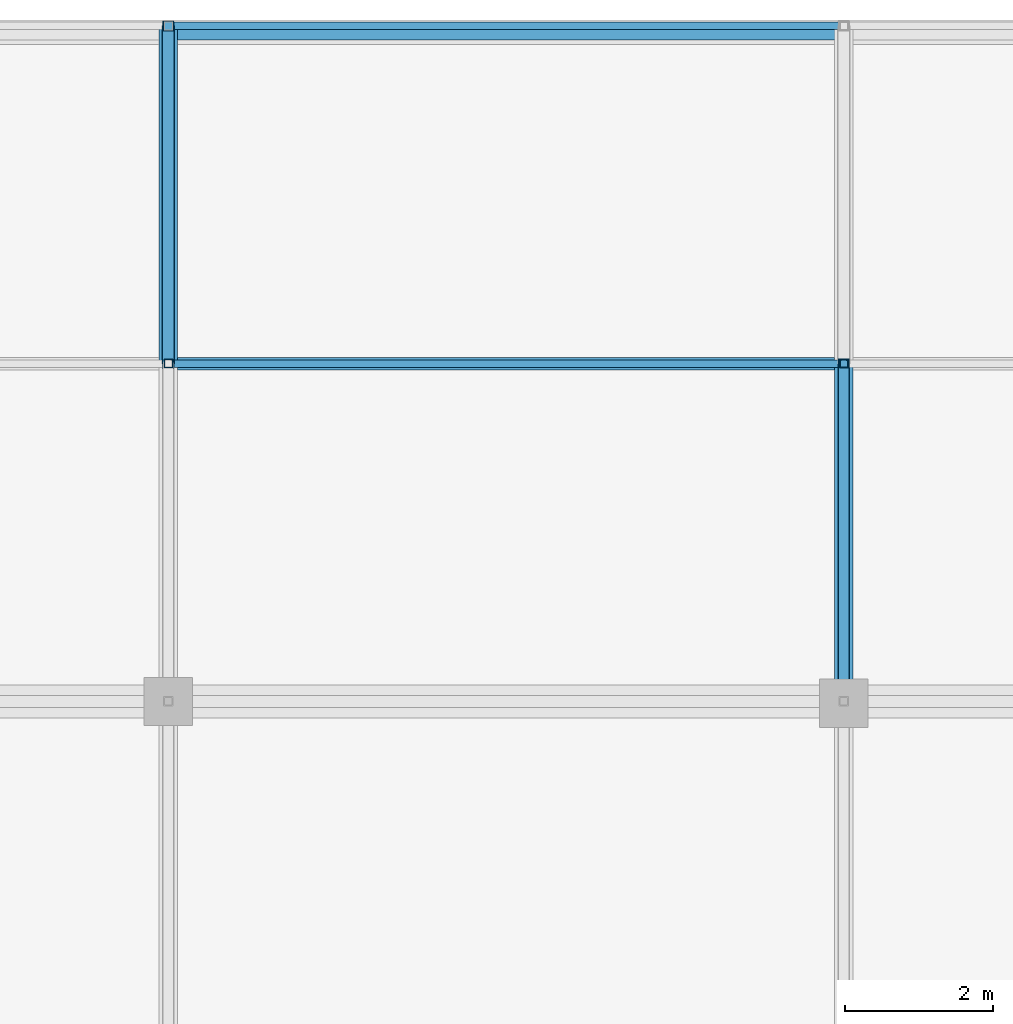
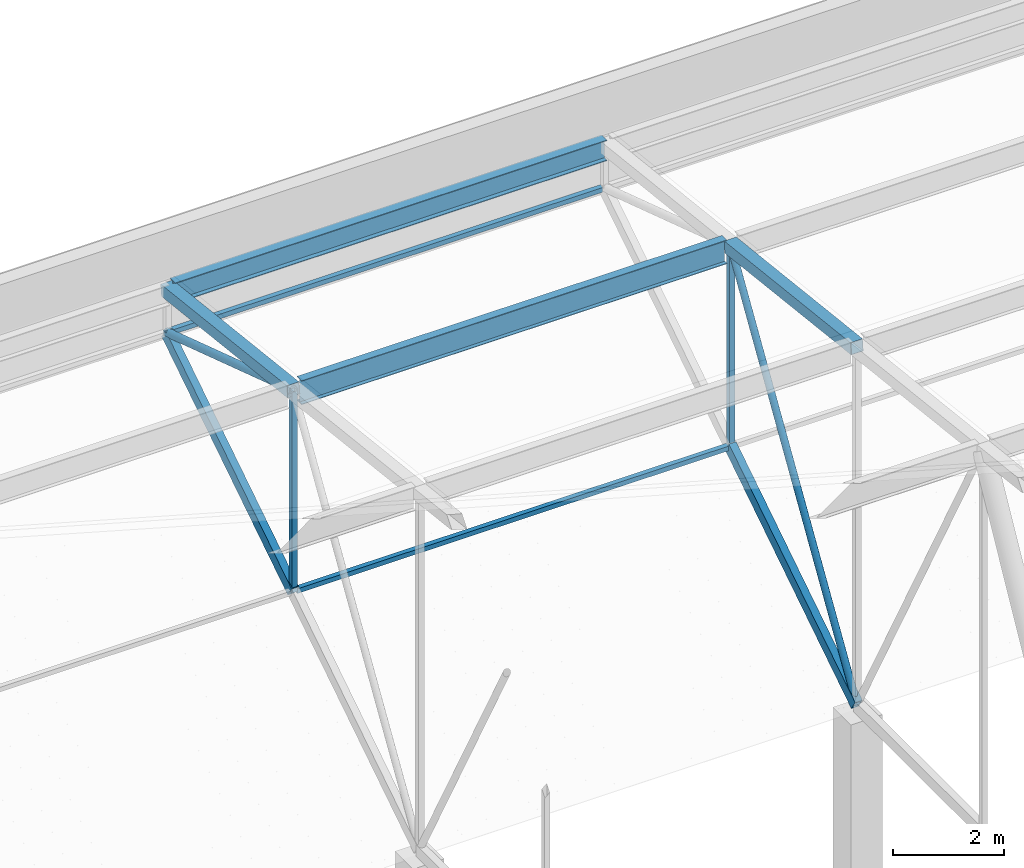
# One storey, part 309 of 500: 12 members.
"""IFC4 building model written with IfcOpenShell, lengths in metres."""

from ifc_helpers import new_model, si_unit, direction, frame, origin, origin_2d, place, context, subcontext, project, spatial, hollow_rectangle, hollow_circle, i_section, extrude, material, material_profile, profile_set, type_object, element, save


model = new_model("IFC4")

# Units and contexts
model_context = context("Model", 3, precision=1e-05, world=origin(), true_north=direction((0.0, 1.0)))
body_context = subcontext(model_context, "Body", "Model", "MODEL_VIEW")
ifc_project = project(units=[si_unit("LENGTHUNIT", "METRE"), si_unit("AREAUNIT", "SQUARE_METRE"), si_unit("VOLUMEUNIT", "CUBIC_METRE"), si_unit("PLANEANGLEUNIT", "RADIAN"), si_unit("MASSUNIT", "GRAM", prefix="KILO")], contexts=[model_context])

# Site, building, storey
site_placement = place(None, origin())
site = spatial("IfcSite", under=ifc_project, at=site_placement, CompositionType="ELEMENT")
building_placement = place(site_placement, origin())
building = spatial("IfcBuilding", under=site, at=building_placement, Name="Shirokan Park Arena", CompositionType="ELEMENT")
storey_placement = place(building_placement, frame((0.0, 0.0, 29.1201171875)))
storey = spatial("IfcBuildingStorey", under=building, at=storey_placement, Name="L06", CompositionType="ELEMENT", Elevation=29.1201171875)

# Members
ifc_material_1 = material(Name="Steel ASTM A500 Grade C", Category="steel")
ifc_material_profile_1 = material_profile(ifc_material_1, hollow_rectangle(XDim=0.152099609375, YDim=0.25390625, WallThickness=0.009521484375, at=origin_2d()), Name="HSS254X152.4X9.5")
ifc_profile_set_1 = profile_set([ifc_material_profile_1], Name="Steel ASTM A500 Grade C")
member_type_1 = type_object("IfcMemberType", Name="Bottom chord HSS254X152.4X9.5", PredefinedType="CHORD", material=ifc_profile_set_1)
for number, where, z_axis, x_axis, name in (
    (1, (72.800048828125, 113.75, 7.6044921875), (0.0, 0.840971691661, 0.541079119746), (-1.0, 0.0, 0.0), "Truss T09 bottom chord 28"),
    (2, (81.89990234375, 109.199951171875, 4.677001953125), (0.0, 0.840971691661, 0.541079119746), (-1.0, 0.0, 0.0), "Truss T10 bottom chord 27"),
):
    element("IfcMember", number, at=place(storey_placement, frame(where, z_axis=z_axis, x_axis=x_axis)), inside=storey, type_object=member_type_1, Name=name, PredefinedType="CHORD", context=body_context, shape_type="SweptSolid", body=[
        extrude(hollow_rectangle(XDim=0.152099609375, YDim=0.25390625, WallThickness=0.009521484375, at=origin_2d()), origin(), (0.0, 0.0, 1.0), 5.410400390625),
    ])
ifc_material_profile_2 = material_profile(ifc_material_1, hollow_rectangle(XDim=0.10205078125, YDim=0.10205078125, WallThickness=0.00634765625, at=origin_2d()), Name="HSS101.6X101.6X6.4")
ifc_profile_set_2 = profile_set([ifc_material_profile_2], Name="Steel ASTM A500 Grade C")
member_type_2 = type_object("IfcMemberType", Name="Eave soffit rail HSS101.6X101.6X6.4", PredefinedType="USERDEFINED", material=ifc_profile_set_2)
for number, where, z_axis, x_axis, name in (
    (3, (72.85693359375, 118.300048828125, 10.531982421875), (1.0, 0.0, 0.0), (0.0, 1.0, 0.0), "Eave soffit rail N 29 bay 9"),
    (4, (72.85693359375, 113.75, 7.6044921875), (1.0, 0.0, 0.0), (0.0, 1.0, 0.0), "Eave soffit rail N 28 bay 9"),
):
    element("IfcMember", number, at=place(storey_placement, frame(where, z_axis=z_axis, x_axis=x_axis)), inside=storey, type_object=member_type_2, Name=name, ObjectType="EAVE SOFFIT RAIL", PredefinedType="USERDEFINED", context=body_context, shape_type="SweptSolid", body=[
        extrude(hollow_rectangle(XDim=0.10205078125, YDim=0.10205078125, WallThickness=0.00634765625, at=origin_2d()), origin(), (0.0, 0.0, 1.0), 8.986083984375),
    ])
ifc_material_2 = material(Name="Steel ASTM A992", Category="steel")
ifc_material_profile_3 = material_profile(ifc_material_2, i_section(OverallWidth=0.166015625, OverallDepth=0.528076171875, WebThickness=0.009765625, FlangeThickness=0.013671875, at=origin_2d()), Name="W530X74")
ifc_profile_set_3 = profile_set([ifc_material_profile_3], Name="Steel ASTM A992")
member_type_3 = type_object("IfcMemberType", Name="Purlin W530X74", PredefinedType="PURLIN", material=ifc_profile_set_3)
member_1_placement = place(storey_placement, frame((72.927001953125, 113.75, 11.9658203125), z_axis=(1.0, 0.0, 0.0), x_axis=(0.0, 1.0, 0.0)))
element("IfcMember", 5, at=member_1_placement, inside=storey, type_object=member_type_3, Name="Purlin 28 bay 9", PredefinedType="PURLIN", context=body_context, shape_type="SweptSolid", body=[
    extrude(i_section(OverallWidth=0.166015625, OverallDepth=0.528076171875, WebThickness=0.009765625, FlangeThickness=0.013671875, at=origin_2d()), origin(), (0.0, 0.0, 1.0), 8.845947265625),
])
ifc_material_profile_4 = material_profile(ifc_material_2, i_section(OverallWidth=0.19091796875, OverallDepth=0.45703125, WebThickness=0.009033203125, FlangeThickness=0.014404296875, at=origin_2d()), Name="W460X74")
ifc_profile_set_4 = profile_set([ifc_material_profile_4], Name="Steel ASTM A992")
member_type_4 = type_object("IfcMemberType", Name="Roof edge beam W460X74", PredefinedType="USERDEFINED", material=ifc_profile_set_4)
member_2_placement = place(storey_placement, frame((72.85693359375, 118.20458984375, 11.4814453125), z_axis=(1.0, 0.0, 0.0), x_axis=(0.0, 1.0, 0.0)))
element("IfcMember", 6, at=member_2_placement, inside=storey, type_object=member_type_4, Name="Roof edge beam N 10", ObjectType="ROOF EDGE BEAM", PredefinedType="USERDEFINED", context=body_context, shape_type="SweptSolid", body=[
    extrude(i_section(OverallWidth=0.19091796875, OverallDepth=0.45703125, WebThickness=0.009033203125, FlangeThickness=0.014404296875, at=origin_2d()), origin(), (0.0, 0.0, 1.0), 8.986083984375),
])
ifc_material_profile_5 = material_profile(ifc_material_1, hollow_rectangle(XDim=0.25390625, YDim=0.25390625, WallThickness=0.009521484375, at=origin_2d()), Name="HSS254X254X9.5")
ifc_profile_set_5 = profile_set([ifc_material_profile_5], Name="Steel ASTM A500 Grade C")
member_type_5 = type_object("IfcMemberType", Name="Top chord HSS254X254X9.5", PredefinedType="CHORD", material=ifc_profile_set_5)
for number, where, z_axis, x_axis, name in (
    (7, (72.800048828125, 113.75, 12.021484375), (0.0, 0.993532328996, -0.113549598152), (-1.0, 0.0, 0.0), "Truss T09 top chord 28"),
    (8, (81.89990234375, 109.199951171875, 12.54150390625), (0.0, 0.993532328996, -0.113549598152), (-1.0, 0.0, 0.0), "Truss T10 top chord 27"),
):
    element("IfcMember", number, at=place(storey_placement, frame(where, z_axis=z_axis, x_axis=x_axis)), inside=storey, type_object=member_type_5, Name=name, PredefinedType="CHORD", context=body_context, shape_type="SweptSolid", body=[
        extrude(hollow_rectangle(XDim=0.25390625, YDim=0.25390625, WallThickness=0.009521484375, at=origin_2d()), origin(), (0.0, 0.0, 1.0), 4.57958984375),
    ])
ifc_material_profile_6 = material_profile(ifc_material_1, hollow_circle(Radius=0.070556640625, WallThickness=0.006591796875, at=origin_2d()), Name="HSS141.3X6.6")
ifc_profile_set_6 = profile_set([ifc_material_profile_6], Name="Steel ASTM A500 Grade C")
member_type_6 = type_object("IfcMemberType", Name="Truss diagonal HSS141.3X6.6", PredefinedType="BRACE", material=ifc_profile_set_6)
member_3_placement = place(storey_placement, frame((81.89990234375, 109.199951171875, 4.677001953125), z_axis=(0.0, 0.526644483383, 0.850085635758), x_axis=(-1.0, 0.0, 0.0)))
element("IfcMember", 9, at=member_3_placement, inside=storey, type_object=member_type_6, Name="Truss T10 diagonal 27", PredefinedType="BRACE", context=body_context, shape_type="SweptSolid", body=[
    extrude(hollow_circle(Radius=0.070556640625, WallThickness=0.006591796875, at=origin_2d()), origin(), (0.0, 0.0, 1.0), 8.6396484375),
])
ifc_material_profile_7 = material_profile(ifc_material_1, hollow_circle(Radius=0.083984375, WallThickness=0.009521484375, at=origin_2d()), Name="HSS168.3X9.5")
ifc_profile_set_7 = profile_set([ifc_material_profile_7], Name="Steel ASTM A500 Grade C")
member_type_7 = type_object("IfcMemberType", Name="Truss diagonal HSS168.3X9.5", PredefinedType="BRACE", material=ifc_profile_set_7)
member_4_placement = place(storey_placement, frame((72.800048828125, 113.75, 12.021484375), z_axis=(0.0, 0.950372733116, -0.311113593644), x_axis=(-1.0, 0.0, 0.0)))
element("IfcMember", 10, at=member_4_placement, inside=storey, type_object=member_type_7, Name="Truss T09 diagonal 28", PredefinedType="BRACE", context=body_context, shape_type="SweptSolid", body=[
    extrude(hollow_circle(Radius=0.083984375, WallThickness=0.009521484375, at=origin_2d()), origin(), (0.0, 0.0, 1.0), 4.78759765625),
])
ifc_material_profile_8 = material_profile(ifc_material_1, hollow_rectangle(XDim=0.114013671875, YDim=0.114013671875, WallThickness=0.00634765625, at=origin_2d()), Name="HSS114.3X114.3X6.4")
ifc_profile_set_8 = profile_set([ifc_material_profile_8], Name="Steel ASTM A500 Grade C")
member_type_8 = type_object("IfcMemberType", Name="Truss post HSS114.3X114.3X6.4", PredefinedType="POST", material=ifc_profile_set_8)
for number, where, z_axis, x_axis, name in (
    (11, (72.800048828125, 113.75, 7.6044921875), (0.0, 0.0, 1.0), (1.0, 0.0, 0.0), "Truss T09 post 28"),
    (12, (81.89990234375, 113.75, 7.6044921875), (0.0, 0.0, 1.0), (1.0, 0.0, 0.0), "Truss T10 post 28"),
):
    element("IfcMember", number, at=place(storey_placement, frame(where, z_axis=z_axis, x_axis=x_axis)), inside=storey, type_object=member_type_8, Name=name, PredefinedType="POST", context=body_context, shape_type="SweptSolid", body=[
        extrude(hollow_rectangle(XDim=0.114013671875, YDim=0.114013671875, WallThickness=0.00634765625, at=origin_2d()), origin(), (0.0, 0.0, 1.0), 4.4169921875),
    ])

save(model, "model.ifc")
